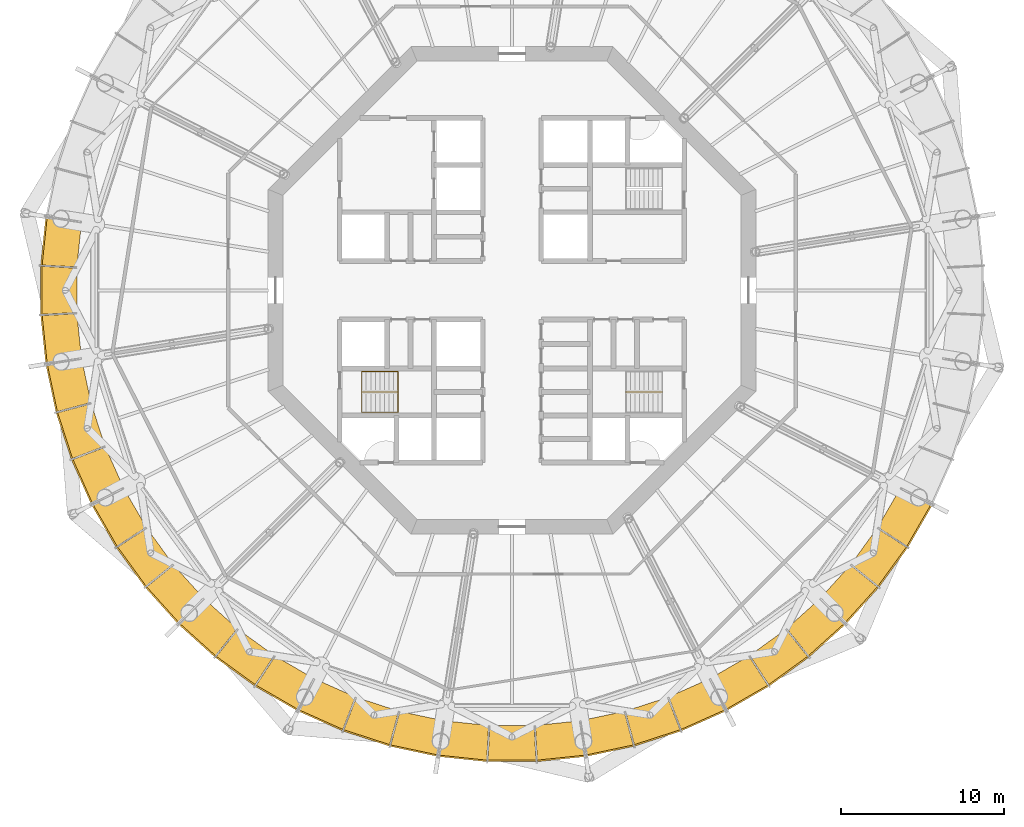
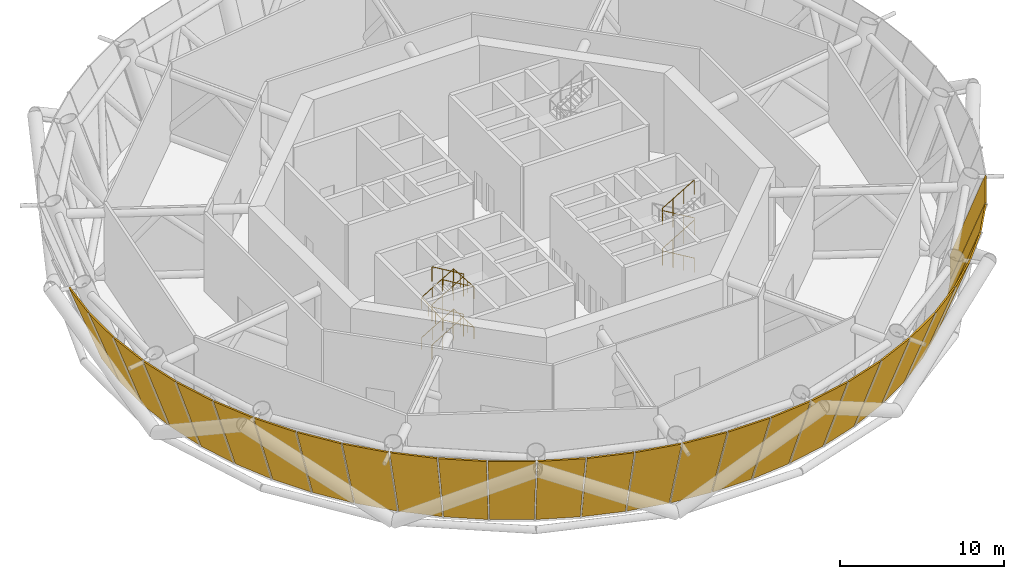
# One storey, part 13 of 15: 27 shading devices, 3 railings.
"""IFC4 building model written with IfcOpenShell, lengths in metres."""

from ifc_helpers import new_model, si_unit, direction, frame, origin, origin_2d, place, context, subcontext, project, spatial, polyline, circle, outline, extrude, material, layer, layer_set, type_object, element, save


model = new_model("IFC4")

# Units and contexts
model_context = context("Model", 3, precision=1e-05, world=origin(), true_north=direction((0.0, 1.0)))
body_context = subcontext(model_context, "Body", "Model", "MODEL_VIEW")
ifc_project = project(units=[si_unit("LENGTHUNIT", "METRE"), si_unit("AREAUNIT", "SQUARE_METRE"), si_unit("VOLUMEUNIT", "CUBIC_METRE"), si_unit("PLANEANGLEUNIT", "RADIAN"), si_unit("MASSUNIT", "GRAM", prefix="KILO")], contexts=[model_context])

# Site, building, storey
site_placement = place(None, origin())
site = spatial("IfcSite", under=ifc_project, at=site_placement, CompositionType="ELEMENT")
building_placement = place(site_placement, origin())
building = spatial("IfcBuilding", under=site, at=building_placement, Name="Entoto Ring Tower", CompositionType="ELEMENT")
storey_placement = place(building_placement, frame((0.0, 0.0, 268.0)))
storey = spatial("IfcBuildingStorey", under=building, at=storey_placement, Name="L61", CompositionType="ELEMENT", Elevation=268.0)

# Shading devices
ifc_material_1 = material(Name="Anodised aluminium", Category="aluminium")
ifc_layer = layer(ifc_material_1, 0.10009765625)
ifc_layer_set = layer_set([ifc_layer], Name="Anodised aluminium")
shading_device_type = type_object("IfcShadingDeviceType", Name="Louvre bank 100 mm anodised aluminium", PredefinedType="JALOUSIE", material=ifc_layer_set)
shading_device_1_placement = place(storey_placement, frame((63.51318359375, 84.154541015625, 0.034423828125), z_axis=(0.933740501772, -0.098131191908, 0.344236756501), x_axis=(-0.104517189405, -0.994523080221, -5.235825e-06)))
element("IfcShadingDevice", 1, at=shading_device_1_placement, inside=storey, type_object=shading_device_type, Name="LOUVRE L61-27", PredefinedType="JALOUSIE", context=body_context, shape_type="SweptSolid", body=[
    extrude(outline(polyline([(0.0, 0.0), (2.726353732657616, 0.0), (2.8379838202858227, -6.194264304946076), (-0.11177070660607603, -6.19423265125129), (0.0, 0.0)])), origin(), (0.0, 0.0, -1.0), 0.10009765625),
])
shading_device_2_placement = place(storey_placement, frame((63.22412109375, 81.36328125, 0.034423828125), z_axis=(0.938880986804, 0.0, 0.344241910027), x_axis=(0.0, -1.0, 0.0)))
element("IfcShadingDevice", 2, at=shading_device_2_placement, inside=storey, type_object=shading_device_type, Name="LOUVRE L61-28", PredefinedType="JALOUSIE", context=body_context, shape_type="SweptSolid", body=[
    extrude(outline(polyline([(0.0, 0.0), (2.7265625, 0.0), (2.838134765625, -6.1942609445361505), (-0.111572265625, -6.1942609445361505), (0.0, 0.0)])), origin(), (0.0, 0.0, -1.0), 0.10009765625),
])
shading_device_3_placement = place(storey_placement, frame((63.228271484375, 78.556884765625, 0.034423828125), z_axis=(0.933740501772, 0.098131191908, 0.344236756501), x_axis=(0.104517189405, -0.994523080221, 5.235825e-06)))
element("IfcShadingDevice", 3, at=shading_device_3_placement, inside=storey, type_object=shading_device_type, Name="LOUVRE L61-29", PredefinedType="JALOUSIE", context=body_context, shape_type="SweptSolid", body=[
    extrude(outline(polyline([(0.0, 0.0), (2.726353732657616, 0.0), (2.8381244392636917, -6.19423265125129), (-0.11163008762820717, -6.194264304946076), (0.0, 0.0)])), origin(), (0.0, 0.0, -1.0), 0.10009765625),
])
shading_device_4_placement = place(storey_placement, frame((63.52587890625, 75.766357421875, 0.034423828125), z_axis=(0.91836744774, 0.195166206795, 0.344254822271), x_axis=(0.207869149173, -0.978156642237, 8.312235e-06)))
element("IfcShadingDevice", 4, at=shading_device_4_placement, inside=storey, type_object=shading_device_type, Name="LOUVRE L61-30", PredefinedType="JALOUSIE", context=body_context, shape_type="SweptSolid", body=[
    extrude(outline(polyline([(0.0, 0.0), (2.7262864498019637, -2.7755575615628914e-17), (2.8382654711785817, -6.194267051789336), (-0.11168586117628382, -6.1943173057190215), (0.0, 0.0)])), origin(), (0.0, 0.0, -1.0), 0.10009765625),
])
shading_device_5_placement = place(storey_placement, frame((64.11328125, 73.022216796875, 0.034423828125), z_axis=(0.892930297624, 0.290132690654, 0.344236118674), x_axis=(0.309019002781, -0.951055863722, -9.7087e-08)))
element("IfcShadingDevice", 5, at=shading_device_5_placement, inside=storey, type_object=shading_device_type, Name="LOUVRE L61-31", PredefinedType="JALOUSIE", context=body_context, shape_type="SweptSolid", body=[
    extrude(outline(polyline([(0.0, 0.0), (2.7264621355444003, 0.0), (2.838148318768676, -6.194247229024674), (-0.11190318081112197, -6.194246642033363), (0.0, 0.0)])), origin(), (0.0, 0.0, -1.0), 0.10009765625),
])
shading_device_6_placement = place(storey_placement, frame((64.984619140625, 70.354736328125, 0.034423828125), z_axis=(0.857696342398, 0.381884854523, 0.344268706279), x_axis=(0.406745511436, -0.913541509085, 1.0250282e-05)))
element("IfcShadingDevice", 6, at=shading_device_6_placement, inside=storey, type_object=shading_device_type, Name="LOUVRE L61-32", PredefinedType="JALOUSIE", context=body_context, shape_type="SweptSolid", body=[
    extrude(outline(polyline([(0.0, 0.0), (2.7264132296457895, 0.0), (2.83826619203065, -6.194294780782693), (-0.11164234458799736, -6.1943567529712755), (0.0, 0.0)])), origin(), (0.0, 0.0, -1.0), 0.10009765625),
])
shading_device_7_placement = place(storey_placement, frame((66.1298828125, 67.792724609375, 0.034423828125), z_axis=(0.813120169078, 0.469393566019, 0.344245945246), x_axis=(0.49994762762, -0.866055638823, 1.0007896e-05)))
element("IfcShadingDevice", 7, at=shading_device_7_placement, inside=storey, type_object=shading_device_type, Name="LOUVRE L61-33", PredefinedType="JALOUSIE", context=body_context, shape_type="SweptSolid", body=[
    extrude(outline(polyline([(0.0, 0.0), (2.726488706957456, 5.551115123125783e-17), (2.8383406496328174, -6.194240451062997), (-0.11151038139634561, -6.194300957458687), (0.0, 0.0)])), origin(), (0.0, 0.0, -1.0), 0.10009765625),
])
shading_device_8_placement = place(storey_placement, frame((67.53662109375, 65.364501953125, 0.034423828125), z_axis=(0.759573663797, 0.551851870784, 0.344248982536), x_axis=(0.587776512441, -0.809023344165, 4.319365e-06)))
element("IfcShadingDevice", 8, at=shading_device_8_placement, inside=storey, type_object=shading_device_type, Name="LOUVRE L61-34", PredefinedType="JALOUSIE", context=body_context, shape_type="SweptSolid", body=[
    extrude(outline(polyline([(0.0, 0.0), (2.7264870464341207, -5.551115123125783e-17), (2.8382669348141474, -6.19426499549144), (-0.1115846229420959, -6.194291109816486), (0.0, 0.0)])), origin(), (0.0, 0.0, -1.0), 0.10009765625),
])
shading_device_9_placement = place(storey_placement, frame((69.189453125, 63.096435546875, 0.034423828125), z_axis=(0.697706660971, 0.628250968363, 0.344247201859), x_axis=(0.669150957372, -0.743126500831, -3.301086e-06)))
element("IfcShadingDevice", 9, at=shading_device_9_placement, inside=storey, type_object=shading_device_type, Name="LOUVRE L61-35", PredefinedType="JALOUSIE", context=body_context, shape_type="SweptSolid", body=[
    extrude(outline(polyline([(0.0, 0.0), (2.7265068200285487, 5.551115123125783e-17), (2.8380099876635247, -6.19428372394875), (-0.11184800582125118, -6.194263765928713), (0.0, 0.0)])), origin(), (0.0, 0.0, -1.0), 0.10009765625),
])
shading_device_10_placement = place(storey_placement, frame((71.0703125, 61.013916015625, 0.034423828125), z_axis=(0.628250968363, 0.697706660971, 0.344247201859), x_axis=(0.743126500831, -0.669150957372, 3.301086e-06)))
element("IfcShadingDevice", 10, at=shading_device_10_placement, inside=storey, type_object=shading_device_type, Name="LOUVRE L61-36", PredefinedType="JALOUSIE", context=body_context, shape_type="SweptSolid", body=[
    extrude(outline(polyline([(0.0, 0.0), (2.7265068200285487, -5.551115123125783e-17), (2.8383548258497995, -6.194263765928713), (-0.11150316763497561, -6.19428372394875), (0.0, 0.0)])), origin(), (0.0, 0.0, -1.0), 0.10009765625),
])
shading_device_11_placement = place(storey_placement, frame((73.15869140625, 59.13916015625, 0.034423828125), z_axis=(0.551851870784, 0.759573663797, 0.344248982536), x_axis=(0.809023344165, -0.587776512441, -4.319365e-06)))
element("IfcShadingDevice", 11, at=shading_device_11_placement, inside=storey, type_object=shading_device_type, Name="LOUVRE L61-37", PredefinedType="JALOUSIE", context=body_context, shape_type="SweptSolid", body=[
    extrude(outline(polyline([(0.0, 0.0), (2.7264870464341207, 5.551115123125783e-17), (2.838071669376217, -6.194291109816486), (-0.11177988838002609, -6.19426499549144), (0.0, 0.0)])), origin(), (0.0, 0.0, -1.0), 0.10009765625),
])
shading_device_12_placement = place(storey_placement, frame((75.431396484375, 57.492919921875, 0.034423828125), z_axis=(0.469393566019, 0.813120169078, 0.344245945246), x_axis=(0.866055638823, -0.49994762762, -1.0007896e-05)))
element("IfcShadingDevice", 12, at=shading_device_12_placement, inside=storey, type_object=shading_device_type, Name="LOUVRE L61-38", PredefinedType="JALOUSIE", context=body_context, shape_type="SweptSolid", body=[
    extrude(outline(polyline([(0.0, 0.0), (2.726488706957456, -5.551115123125783e-17), (2.837999088353802, -6.194300957458687), (-0.11185194267536169, -6.194240451062997), (0.0, 0.0)])), origin(), (0.0, 0.0, -1.0), 0.10009765625),
])
shading_device_13_placement = place(storey_placement, frame((77.864013671875, 56.093505859375, 0.034423828125), z_axis=(0.381884854523, 0.857696342398, 0.344268706279), x_axis=(0.913541509085, -0.406745511436, -1.0250282e-05)))
element("IfcShadingDevice", 13, at=shading_device_13_placement, inside=storey, type_object=shading_device_type, Name="LOUVRE L61-39", PredefinedType="JALOUSIE", context=body_context, shape_type="SweptSolid", body=[
    extrude(outline(polyline([(0.0, 0.0), (2.7264132296457895, 0.0), (2.8380555742337865, -6.1943567529712755), (-0.11185296238486021, -6.194294780782693), (0.0, 0.0)])), origin(), (0.0, 0.0, -1.0), 0.10009765625),
])
shading_device_14_placement = place(storey_placement, frame((80.42919921875, 54.955810546875, 0.034423828125), z_axis=(0.290132690654, 0.892930297624, 0.344236118674), x_axis=(0.951055863722, -0.309019002781, 9.7087e-08)))
element("IfcShadingDevice", 14, at=shading_device_14_placement, inside=storey, type_object=shading_device_type, Name="LOUVRE L61-40", PredefinedType="JALOUSIE", context=body_context, shape_type="SweptSolid", body=[
    extrude(outline(polyline([(0.0, 0.0), (2.7264621355444003, 0.0), (2.8383653163555222, -6.194246642033363), (-0.11168618322427579, -6.194247229024674), (0.0, 0.0)])), origin(), (0.0, 0.0, -1.0), 0.10009765625),
])
shading_device_15_placement = place(storey_placement, frame((83.099609375, 54.092529296875, 0.034423828125), z_axis=(0.195166206795, 0.91836744774, 0.344254822271), x_axis=(0.978156642237, -0.207869149173, -8.312235e-06)))
element("IfcShadingDevice", 15, at=shading_device_15_placement, inside=storey, type_object=shading_device_type, Name="LOUVRE L61-41", PredefinedType="JALOUSIE", context=body_context, shape_type="SweptSolid", body=[
    extrude(outline(polyline([(0.0, 0.0), (2.7262864498019637, 2.7755575615628914e-17), (2.8379723109782473, -6.1943173057190215), (-0.11197902137661825, -6.194267051789336), (0.0, 0.0)])), origin(), (0.0, 0.0, -1.0), 0.10009765625),
])
shading_device_16_placement = place(storey_placement, frame((85.845458984375, 53.51318359375, 0.034423828125), z_axis=(0.098131191908, 0.933740501772, 0.344236756501), x_axis=(0.994523080221, -0.104517189405, -5.235825e-06)))
element("IfcShadingDevice", 16, at=shading_device_16_placement, inside=storey, type_object=shading_device_type, Name="LOUVRE L61-42", PredefinedType="JALOUSIE", context=body_context, shape_type="SweptSolid", body=[
    extrude(outline(polyline([(0.0, 0.0), (2.726353732657616, 0.0), (2.8379838202858227, -6.194264304946076), (-0.11177070660607603, -6.19423265125129), (0.0, 0.0)])), origin(), (0.0, 0.0, -1.0), 0.10009765625),
])
shading_device_17_placement = place(storey_placement, frame((88.63671875, 53.22412109375, 0.034423828125), z_axis=(0.0, 0.938880986804, 0.344241910027), x_axis=(1.0, 0.0, 0.0)))
element("IfcShadingDevice", 17, at=shading_device_17_placement, inside=storey, type_object=shading_device_type, Name="LOUVRE L61-43", PredefinedType="JALOUSIE", context=body_context, shape_type="SweptSolid", body=[
    extrude(outline(polyline([(0.0, 0.0), (2.7265625, 0.0), (2.838134765625, -6.1942609445361505), (-0.111572265625, -6.1942609445361505), (0.0, 0.0)])), origin(), (0.0, 0.0, -1.0), 0.10009765625),
])
shading_device_18_placement = place(storey_placement, frame((91.443115234375, 53.228271484375, 0.034423828125), z_axis=(-0.098131191908, 0.933740501772, 0.344236756501), x_axis=(0.994523080221, 0.104517189405, 5.235825e-06)))
element("IfcShadingDevice", 18, at=shading_device_18_placement, inside=storey, type_object=shading_device_type, Name="LOUVRE L61-44", PredefinedType="JALOUSIE", context=body_context, shape_type="SweptSolid", body=[
    extrude(outline(polyline([(0.0, 0.0), (2.726353732657616, 0.0), (2.8381244392636917, -6.19423265125129), (-0.11163008762820717, -6.194264304946076), (0.0, 0.0)])), origin(), (0.0, 0.0, -1.0), 0.10009765625),
])
shading_device_19_placement = place(storey_placement, frame((94.233642578125, 53.52587890625, 0.034423828125), z_axis=(-0.195166206795, 0.91836744774, 0.344254822271), x_axis=(0.978156642237, 0.207869149173, 8.312235e-06)))
element("IfcShadingDevice", 19, at=shading_device_19_placement, inside=storey, type_object=shading_device_type, Name="LOUVRE L61-45", PredefinedType="JALOUSIE", context=body_context, shape_type="SweptSolid", body=[
    extrude(outline(polyline([(0.0, 0.0), (2.7262864498019637, -2.7755575615628914e-17), (2.8382654711785817, -6.194267051789336), (-0.11168586117628382, -6.1943173057190215), (0.0, 0.0)])), origin(), (0.0, 0.0, -1.0), 0.10009765625),
])
shading_device_20_placement = place(storey_placement, frame((96.977783203125, 54.11328125, 0.034423828125), z_axis=(-0.290132690654, 0.892930297624, 0.344236118674), x_axis=(0.951055863722, 0.309019002781, -9.7087e-08)))
element("IfcShadingDevice", 20, at=shading_device_20_placement, inside=storey, type_object=shading_device_type, Name="LOUVRE L61-46", PredefinedType="JALOUSIE", context=body_context, shape_type="SweptSolid", body=[
    extrude(outline(polyline([(0.0, 0.0), (2.7264621355444003, 0.0), (2.838148318768676, -6.194247229024674), (-0.11190318081112197, -6.194246642033363), (0.0, 0.0)])), origin(), (0.0, 0.0, -1.0), 0.10009765625),
])
shading_device_21_placement = place(storey_placement, frame((99.645263671875, 54.984619140625, 0.034423828125), z_axis=(-0.381884854523, 0.857696342398, 0.344268706279), x_axis=(0.913541509085, 0.406745511436, 1.0250282e-05)))
element("IfcShadingDevice", 21, at=shading_device_21_placement, inside=storey, type_object=shading_device_type, Name="LOUVRE L61-47", PredefinedType="JALOUSIE", context=body_context, shape_type="SweptSolid", body=[
    extrude(outline(polyline([(0.0, 0.0), (2.7264132296457895, 0.0), (2.83826619203065, -6.194294780782693), (-0.11164234458799736, -6.1943567529712755), (0.0, 0.0)])), origin(), (0.0, 0.0, -1.0), 0.10009765625),
])
shading_device_22_placement = place(storey_placement, frame((102.207275390625, 56.1298828125, 0.034423828125), z_axis=(-0.469393566019, 0.813120169078, 0.344245945246), x_axis=(0.866055638823, 0.49994762762, 1.0007896e-05)))
element("IfcShadingDevice", 22, at=shading_device_22_placement, inside=storey, type_object=shading_device_type, Name="LOUVRE L61-48", PredefinedType="JALOUSIE", context=body_context, shape_type="SweptSolid", body=[
    extrude(outline(polyline([(0.0, 0.0), (2.726488706957456, 5.551115123125783e-17), (2.8383406496328174, -6.194240451062997), (-0.11151038139634561, -6.194300957458687), (0.0, 0.0)])), origin(), (0.0, 0.0, -1.0), 0.10009765625),
])
shading_device_23_placement = place(storey_placement, frame((104.635498046875, 57.53662109375, 0.034423828125), z_axis=(-0.551851870784, 0.759573663797, 0.344248982536), x_axis=(0.809023344165, 0.587776512441, 4.319365e-06)))
element("IfcShadingDevice", 23, at=shading_device_23_placement, inside=storey, type_object=shading_device_type, Name="LOUVRE L61-49", PredefinedType="JALOUSIE", context=body_context, shape_type="SweptSolid", body=[
    extrude(outline(polyline([(0.0, 0.0), (2.7264870464341207, -5.551115123125783e-17), (2.8382669348141474, -6.19426499549144), (-0.1115846229420959, -6.194291109816486), (0.0, 0.0)])), origin(), (0.0, 0.0, -1.0), 0.10009765625),
])
shading_device_24_placement = place(storey_placement, frame((106.903564453125, 59.189453125, 0.034423828125), z_axis=(-0.628250968363, 0.697706660971, 0.344247201859), x_axis=(0.743126500831, 0.669150957372, -3.301086e-06)))
element("IfcShadingDevice", 24, at=shading_device_24_placement, inside=storey, type_object=shading_device_type, Name="LOUVRE L61-50", PredefinedType="JALOUSIE", context=body_context, shape_type="SweptSolid", body=[
    extrude(outline(polyline([(0.0, 0.0), (2.7265068200285487, 5.551115123125783e-17), (2.8380099876635247, -6.19428372394875), (-0.11184800582125118, -6.194263765928713), (0.0, 0.0)])), origin(), (0.0, 0.0, -1.0), 0.10009765625),
])
shading_device_25_placement = place(storey_placement, frame((108.986083984375, 61.0703125, 0.034423828125), z_axis=(-0.697706660971, 0.628250968363, 0.344247201859), x_axis=(0.669150957372, 0.743126500831, 3.301086e-06)))
element("IfcShadingDevice", 25, at=shading_device_25_placement, inside=storey, type_object=shading_device_type, Name="LOUVRE L61-51", PredefinedType="JALOUSIE", context=body_context, shape_type="SweptSolid", body=[
    extrude(outline(polyline([(0.0, 0.0), (2.7265068200285487, -5.551115123125783e-17), (2.8383548258497995, -6.194263765928713), (-0.11150316763497561, -6.19428372394875), (0.0, 0.0)])), origin(), (0.0, 0.0, -1.0), 0.10009765625),
])
shading_device_26_placement = place(storey_placement, frame((110.86083984375, 63.15869140625, 0.034423828125), z_axis=(-0.759573663797, 0.551851870784, 0.344248982536), x_axis=(0.587776512441, 0.809023344165, -4.319365e-06)))
element("IfcShadingDevice", 26, at=shading_device_26_placement, inside=storey, type_object=shading_device_type, Name="LOUVRE L61-52", PredefinedType="JALOUSIE", context=body_context, shape_type="SweptSolid", body=[
    extrude(outline(polyline([(0.0, 0.0), (2.7264870464341207, 5.551115123125783e-17), (2.838071669376217, -6.194291109816486), (-0.11177988838002609, -6.19426499549144), (0.0, 0.0)])), origin(), (0.0, 0.0, -1.0), 0.10009765625),
])
shading_device_27_placement = place(storey_placement, frame((112.507080078125, 65.431396484375, 0.034423828125), z_axis=(-0.813120169078, 0.469393566019, 0.344245945246), x_axis=(0.49994762762, 0.866055638823, -1.0007896e-05)))
element("IfcShadingDevice", 27, at=shading_device_27_placement, inside=storey, type_object=shading_device_type, Name="LOUVRE L61-53", PredefinedType="JALOUSIE", context=body_context, shape_type="SweptSolid", body=[
    extrude(outline(polyline([(0.0, 0.0), (2.726488706957456, -5.551115123125783e-17), (2.837999088353802, -6.194300957458687), (-0.11185194267536169, -6.194240451062997), (0.0, 0.0)])), origin(), (0.0, 0.0, -1.0), 0.10009765625),
])

# Railings
ifc_material_2 = material(Name="Steel S275", Category="steel")
railing_type_1 = type_object("IfcRailingType", Name="Stair guard 1100 mm steel", PredefinedType="GUARDRAIL", material=ifc_material_2)
railing_1_placement = place(storey_placement, frame((80.75, 73.75, 0.166748046875)))
element("IfcRailing", 28, at=railing_1_placement, inside=storey, type_object=railing_type_1, Name="Guard ST2", PredefinedType="GUARDRAIL", context=body_context, shape_type="SweptSolid", body=[
    extrude(circle(Radius=0.02392578125, at=origin_2d()), frame((0.0, 0.0, 1.076171875), z_axis=(0.859305625298, 0.0, 0.511462454469), x_axis=(0.0, 1.0, 0.0)), (0.0, 0.0, 1.0), 2.606689453125),
    extrude(circle(Radius=0.02392578125, at=origin_2d()), frame((2.239990234375, 0.0, 2.4091796875), z_axis=(0.0, 0.0, 1.0), x_axis=(1.0, 0.0, 0.0)), (0.0, 0.0, 1.0), 0.166748046875),
    extrude(circle(Radius=0.02392578125, at=origin_2d()), frame((2.239990234375, 0.0, 2.576171875), z_axis=(-0.859305625298, 0.0, 0.511462454469), x_axis=(0.0, -1.0, 0.0)), (0.0, 0.0, 1.0), 2.606689453125),
    extrude(circle(Radius=0.02392578125, at=origin_2d()), frame((0.0, 0.0, 3.9091796875), z_axis=(0.0, 0.0, 1.0), x_axis=(1.0, 0.0, 0.0)), (0.0, 0.0, 1.0), 0.166748046875),
    extrude(circle(Radius=0.02392578125, at=origin_2d()), frame((0.0, 0.0, 4.076171875), z_axis=(0.859305625298, 0.0, 0.511462454469), x_axis=(0.0, 1.0, 0.0)), (0.0, 0.0, 1.0), 2.606689453125),
    extrude(circle(Radius=0.02392578125, at=origin_2d()), frame((2.239990234375, 0.0, 5.4091796875), z_axis=(0.0, 0.0, 1.0), x_axis=(1.0, 0.0, 0.0)), (0.0, 0.0, 1.0), 0.166748046875),
    extrude(circle(Radius=0.02392578125, at=origin_2d()), frame((2.239990234375, 0.0, 5.576171875), z_axis=(-0.859305625298, 0.0, 0.511462454469), x_axis=(0.0, -1.0, 0.0)), (0.0, 0.0, 1.0), 2.606689453125),
    extrude(circle(Radius=0.02099609375, at=origin_2d()), origin(), (0.0, 0.0, 1.0), 1.052001953125),
    extrude(circle(Radius=0.02099609375, at=origin_2d()), frame((0.74658203125, 0.0, 0.4443359375)), (0.0, 0.0, 1.0), 1.052001953125),
    extrude(circle(Radius=0.02099609375, at=origin_2d()), frame((1.493408203125, 0.0, 0.888916015625)), (0.0, 0.0, 1.0), 1.052001953125),
    extrude(circle(Radius=0.02099609375, at=origin_2d()), frame((2.239990234375, 0.0, 1.333251953125)), (0.0, 0.0, 1.0), 1.052001953125),
    extrude(circle(Radius=0.02099609375, at=origin_2d()), frame((2.239990234375, 0.0, 1.5)), (0.0, 0.0, 1.0), 1.052001953125),
    extrude(circle(Radius=0.02099609375, at=origin_2d()), frame((1.493408203125, 0.0, 1.9443359375)), (0.0, 0.0, 1.0), 1.052001953125),
    extrude(circle(Radius=0.02099609375, at=origin_2d()), frame((0.74658203125, 0.0, 2.388916015625)), (0.0, 0.0, 1.0), 1.052001953125),
    extrude(circle(Radius=0.02099609375, at=origin_2d()), frame((0.0, 0.0, 2.833251953125)), (0.0, 0.0, 1.0), 1.052001953125),
    extrude(circle(Radius=0.02099609375, at=origin_2d()), frame((0.0, 0.0, 3.0)), (0.0, 0.0, 1.0), 1.052001953125),
    extrude(circle(Radius=0.02099609375, at=origin_2d()), frame((0.74658203125, 0.0, 3.4443359375)), (0.0, 0.0, 1.0), 1.052001953125),
    extrude(circle(Radius=0.02099609375, at=origin_2d()), frame((1.493408203125, 0.0, 3.888916015625)), (0.0, 0.0, 1.0), 1.052001953125),
    extrude(circle(Radius=0.02099609375, at=origin_2d()), frame((2.239990234375, 0.0, 4.333251953125)), (0.0, 0.0, 1.0), 1.052001953125),
    extrude(circle(Radius=0.02099609375, at=origin_2d()), frame((2.239990234375, 0.0, 4.5)), (0.0, 0.0, 1.0), 1.052001953125),
    extrude(circle(Radius=0.02099609375, at=origin_2d()), frame((1.493408203125, 0.0, 4.9443359375)), (0.0, 0.0, 1.0), 1.052001953125),
    extrude(circle(Radius=0.02099609375, at=origin_2d()), frame((0.74658203125, 0.0, 5.388916015625)), (0.0, 0.0, 1.0), 1.052001953125),
    extrude(circle(Radius=0.02099609375, at=origin_2d()), frame((0.0, 0.0, 5.833251953125)), (0.0, 0.0, 1.0), 1.052001953125),
])
railing_2_placement = place(storey_placement, frame((99.25, 73.75, 0.166748046875)))
element("IfcRailing", 29, at=railing_2_placement, inside=storey, type_object=railing_type_1, Name="Guard ST3", PredefinedType="GUARDRAIL", context=body_context, shape_type="SweptSolid", body=[
    extrude(circle(Radius=0.02392578125, at=origin_2d()), frame((0.0, 0.0, 1.076171875), z_axis=(-0.859305625298, 0.0, 0.511462454469), x_axis=(0.0, -1.0, 0.0)), (0.0, 0.0, 1.0), 2.606689453125),
    extrude(circle(Radius=0.02392578125, at=origin_2d()), frame((-2.239990234375, 0.0, 2.4091796875), z_axis=(0.0, 0.0, 1.0), x_axis=(1.0, 0.0, 0.0)), (0.0, 0.0, 1.0), 0.166748046875),
    extrude(circle(Radius=0.02392578125, at=origin_2d()), frame((-2.239990234375, 0.0, 2.576171875), z_axis=(0.859305625298, 0.0, 0.511462454469), x_axis=(0.0, 1.0, 0.0)), (0.0, 0.0, 1.0), 2.606689453125),
    extrude(circle(Radius=0.02392578125, at=origin_2d()), frame((0.0, 0.0, 3.9091796875), z_axis=(0.0, 0.0, 1.0), x_axis=(1.0, 0.0, 0.0)), (0.0, 0.0, 1.0), 0.166748046875),
    extrude(circle(Radius=0.02392578125, at=origin_2d()), frame((0.0, 0.0, 4.076171875), z_axis=(-0.859305625298, 0.0, 0.511462454469), x_axis=(0.0, -1.0, 0.0)), (0.0, 0.0, 1.0), 2.606689453125),
    extrude(circle(Radius=0.02392578125, at=origin_2d()), frame((-2.239990234375, 0.0, 5.4091796875), z_axis=(0.0, 0.0, 1.0), x_axis=(1.0, 0.0, 0.0)), (0.0, 0.0, 1.0), 0.166748046875),
    extrude(circle(Radius=0.02392578125, at=origin_2d()), frame((-2.239990234375, 0.0, 5.576171875), z_axis=(0.859305625298, 0.0, 0.511462454469), x_axis=(0.0, 1.0, 0.0)), (0.0, 0.0, 1.0), 2.606689453125),
    extrude(circle(Radius=0.02099609375, at=origin_2d()), origin(), (0.0, 0.0, 1.0), 1.052001953125),
    extrude(circle(Radius=0.02099609375, at=origin_2d()), frame((-0.74658203125, 0.0, 0.4443359375)), (0.0, 0.0, 1.0), 1.052001953125),
    extrude(circle(Radius=0.02099609375, at=origin_2d()), frame((-1.493408203125, 0.0, 0.888916015625)), (0.0, 0.0, 1.0), 1.052001953125),
    extrude(circle(Radius=0.02099609375, at=origin_2d()), frame((-2.239990234375, 0.0, 1.333251953125)), (0.0, 0.0, 1.0), 1.052001953125),
    extrude(circle(Radius=0.02099609375, at=origin_2d()), frame((-2.239990234375, 0.0, 1.5)), (0.0, 0.0, 1.0), 1.052001953125),
    extrude(circle(Radius=0.02099609375, at=origin_2d()), frame((-1.493408203125, 0.0, 1.9443359375)), (0.0, 0.0, 1.0), 1.052001953125),
    extrude(circle(Radius=0.02099609375, at=origin_2d()), frame((-0.74658203125, 0.0, 2.388916015625)), (0.0, 0.0, 1.0), 1.052001953125),
    extrude(circle(Radius=0.02099609375, at=origin_2d()), frame((0.0, 0.0, 2.833251953125)), (0.0, 0.0, 1.0), 1.052001953125),
    extrude(circle(Radius=0.02099609375, at=origin_2d()), frame((0.0, 0.0, 3.0)), (0.0, 0.0, 1.0), 1.052001953125),
    extrude(circle(Radius=0.02099609375, at=origin_2d()), frame((-0.74658203125, 0.0, 3.4443359375)), (0.0, 0.0, 1.0), 1.052001953125),
    extrude(circle(Radius=0.02099609375, at=origin_2d()), frame((-1.493408203125, 0.0, 3.888916015625)), (0.0, 0.0, 1.0), 1.052001953125),
    extrude(circle(Radius=0.02099609375, at=origin_2d()), frame((-2.239990234375, 0.0, 4.333251953125)), (0.0, 0.0, 1.0), 1.052001953125),
    extrude(circle(Radius=0.02099609375, at=origin_2d()), frame((-2.239990234375, 0.0, 4.5)), (0.0, 0.0, 1.0), 1.052001953125),
    extrude(circle(Radius=0.02099609375, at=origin_2d()), frame((-1.493408203125, 0.0, 4.9443359375)), (0.0, 0.0, 1.0), 1.052001953125),
    extrude(circle(Radius=0.02099609375, at=origin_2d()), frame((-0.74658203125, 0.0, 5.388916015625)), (0.0, 0.0, 1.0), 1.052001953125),
    extrude(circle(Radius=0.02099609375, at=origin_2d()), frame((0.0, 0.0, 5.833251953125)), (0.0, 0.0, 1.0), 1.052001953125),
])
ifc_material_3 = material(Name="Steel S275", Category="steel")
railing_type_2 = type_object("IfcRailingType", Name="Stair handrail 900 mm steel", PredefinedType="HANDRAIL", material=ifc_material_3)
railing_3_placement = place(storey_placement, frame((80.75, 75.0, 0.166748046875)))
element("IfcRailing", 30, at=railing_3_placement, inside=storey, type_object=railing_type_2, Name="Handrail ST2", PredefinedType="HANDRAIL", context=body_context, shape_type="SweptSolid", body=[
    extrude(circle(Radius=0.02392578125, at=origin_2d()), frame((0.0, 0.0, 0.8759765625), z_axis=(0.859305625298, 0.0, 0.511462454469), x_axis=(0.0, 1.0, 0.0)), (0.0, 0.0, 1.0), 2.606689453125),
    extrude(circle(Radius=0.02392578125, at=origin_2d()), frame((2.239990234375, 0.0, 2.208984375), z_axis=(0.0, -0.997783001586, 0.066551346688), x_axis=(1.0, 0.0, 0.0)), (0.0, 0.0, 1.0), 2.505615234375),
    extrude(circle(Radius=0.02392578125, at=origin_2d()), frame((2.239990234375, -2.5, 2.3759765625), z_axis=(-0.859305625298, 0.0, 0.511462454469), x_axis=(0.0, -1.0, 0.0)), (0.0, 0.0, 1.0), 2.606689453125),
    extrude(circle(Radius=0.02392578125, at=origin_2d()), frame((0.0, -2.5, 3.708984375), z_axis=(0.0, 0.997783001586, 0.066551346688), x_axis=(-1.0, 0.0, 0.0)), (0.0, 0.0, 1.0), 2.505615234375),
    extrude(circle(Radius=0.02392578125, at=origin_2d()), frame((0.0, 0.0, 3.8759765625), z_axis=(0.859305625298, 0.0, 0.511462454469), x_axis=(0.0, 1.0, 0.0)), (0.0, 0.0, 1.0), 2.606689453125),
    extrude(circle(Radius=0.02392578125, at=origin_2d()), frame((2.239990234375, 0.0, 5.208984375), z_axis=(0.0, -0.997783001586, 0.066551346688), x_axis=(1.0, 0.0, 0.0)), (0.0, 0.0, 1.0), 2.505615234375),
    extrude(circle(Radius=0.02392578125, at=origin_2d()), frame((2.239990234375, -2.5, 5.3759765625), z_axis=(-0.859305625298, 0.0, 0.511462454469), x_axis=(0.0, -1.0, 0.0)), (0.0, 0.0, 1.0), 2.606689453125),
    extrude(circle(Radius=0.02099609375, at=origin_2d()), origin(), (0.0, 0.0, 1.0), 0.851806640625),
    extrude(circle(Radius=0.02099609375, at=origin_2d()), frame((0.74658203125, 0.0, 0.4443359375)), (0.0, 0.0, 1.0), 0.851806640625),
    extrude(circle(Radius=0.02099609375, at=origin_2d()), frame((1.493408203125, 0.0, 0.888916015625)), (0.0, 0.0, 1.0), 0.851806640625),
    extrude(circle(Radius=0.02099609375, at=origin_2d()), frame((2.239990234375, 0.0, 1.333251953125)), (0.0, 0.0, 1.0), 0.851806640625),
    extrude(circle(Radius=0.02099609375, at=origin_2d()), frame((2.239990234375, -0.833251953125, 1.388916015625)), (0.0, 0.0, 1.0), 0.851806640625),
    extrude(circle(Radius=0.02099609375, at=origin_2d()), frame((2.239990234375, -1.666748046875, 1.4443359375)), (0.0, 0.0, 1.0), 0.851806640625),
    extrude(circle(Radius=0.02099609375, at=origin_2d()), frame((2.239990234375, -2.5, 1.5)), (0.0, 0.0, 1.0), 0.851806640625),
    extrude(circle(Radius=0.02099609375, at=origin_2d()), frame((1.493408203125, -2.5, 1.9443359375)), (0.0, 0.0, 1.0), 0.851806640625),
    extrude(circle(Radius=0.02099609375, at=origin_2d()), frame((0.74658203125, -2.5, 2.388916015625)), (0.0, 0.0, 1.0), 0.851806640625),
    extrude(circle(Radius=0.02099609375, at=origin_2d()), frame((0.0, -2.5, 2.833251953125)), (0.0, 0.0, 1.0), 0.851806640625),
    extrude(circle(Radius=0.02099609375, at=origin_2d()), frame((0.0, -1.666748046875, 2.888916015625)), (0.0, 0.0, 1.0), 0.851806640625),
    extrude(circle(Radius=0.02099609375, at=origin_2d()), frame((0.0, -0.833251953125, 2.9443359375)), (0.0, 0.0, 1.0), 0.851806640625),
    extrude(circle(Radius=0.02099609375, at=origin_2d()), frame((0.0, 0.0, 3.0)), (0.0, 0.0, 1.0), 0.851806640625),
    extrude(circle(Radius=0.02099609375, at=origin_2d()), frame((0.74658203125, 0.0, 3.4443359375)), (0.0, 0.0, 1.0), 0.851806640625),
    extrude(circle(Radius=0.02099609375, at=origin_2d()), frame((1.493408203125, 0.0, 3.888916015625)), (0.0, 0.0, 1.0), 0.851806640625),
    extrude(circle(Radius=0.02099609375, at=origin_2d()), frame((2.239990234375, 0.0, 4.333251953125)), (0.0, 0.0, 1.0), 0.851806640625),
    extrude(circle(Radius=0.02099609375, at=origin_2d()), frame((2.239990234375, -0.833251953125, 4.388916015625)), (0.0, 0.0, 1.0), 0.851806640625),
    extrude(circle(Radius=0.02099609375, at=origin_2d()), frame((2.239990234375, -1.666748046875, 4.4443359375)), (0.0, 0.0, 1.0), 0.851806640625),
    extrude(circle(Radius=0.02099609375, at=origin_2d()), frame((2.239990234375, -2.5, 4.5)), (0.0, 0.0, 1.0), 0.851806640625),
    extrude(circle(Radius=0.02099609375, at=origin_2d()), frame((1.493408203125, -2.5, 4.9443359375)), (0.0, 0.0, 1.0), 0.851806640625),
    extrude(circle(Radius=0.02099609375, at=origin_2d()), frame((0.74658203125, -2.5, 5.388916015625)), (0.0, 0.0, 1.0), 0.851806640625),
    extrude(circle(Radius=0.02099609375, at=origin_2d()), frame((0.0, -2.5, 5.833251953125)), (0.0, 0.0, 1.0), 0.851806640625),
])

save(model, "model.ifc")
